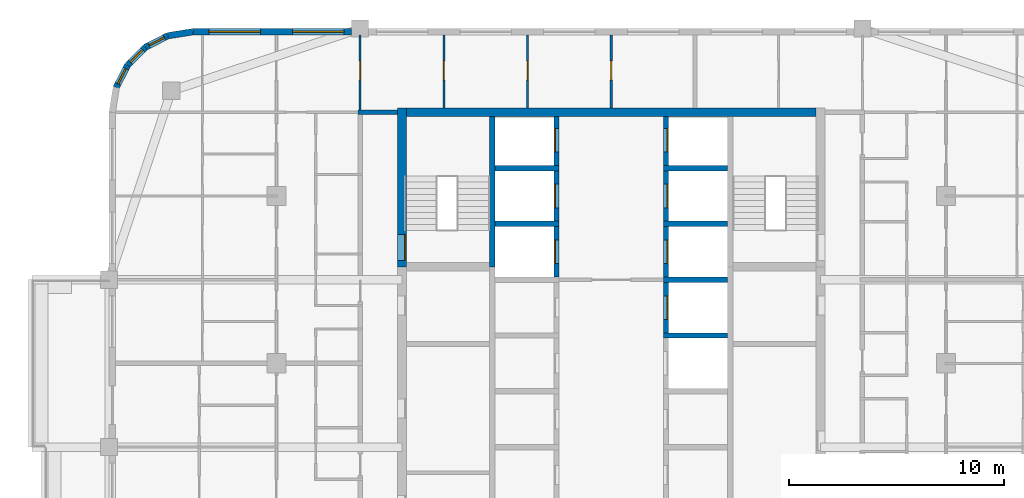
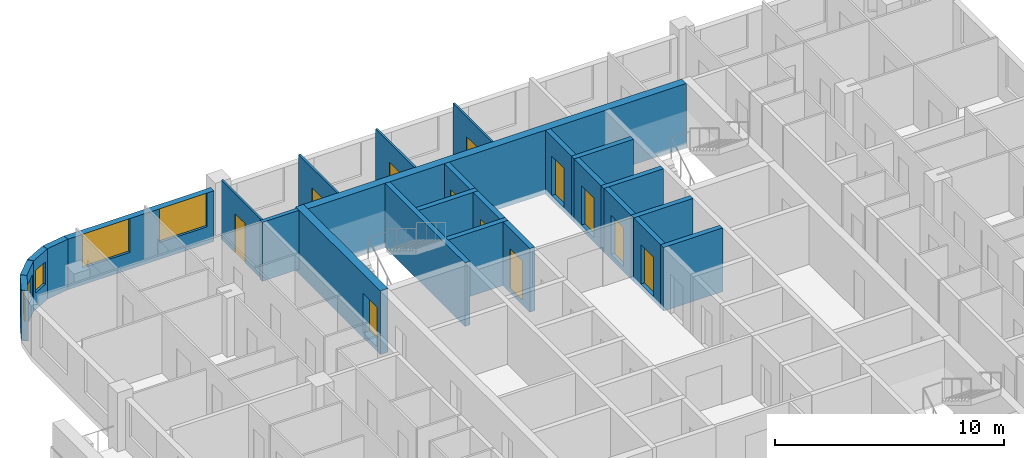
# One storey, part 10 of 16: 26 walls, 12 doors, 5 windows, 17 openings.
"""IFC4 building model written with IfcOpenShell, lengths in metres."""

from ifc_helpers import new_model, si_unit, direction, frame, frame_2d, origin, place, context, subcontext, project, spatial, rectangle, extrude, material, layer, layer_set, type_object, element, fill, save


model = new_model("IFC4")

# Units and contexts
model_context = context("Model", 3, precision=1e-05, world=origin(), true_north=direction((0.0, 1.0)))
body_context = subcontext(model_context, "Body", "Model", "MODEL_VIEW")
ifc_project = project(units=[si_unit("LENGTHUNIT", "METRE"), si_unit("AREAUNIT", "SQUARE_METRE"), si_unit("VOLUMEUNIT", "CUBIC_METRE"), si_unit("PLANEANGLEUNIT", "RADIAN"), si_unit("MASSUNIT", "GRAM", prefix="KILO")], contexts=[model_context])

# Site, building, storey
site_placement = place(None, origin())
site = spatial("IfcSite", under=ifc_project, at=site_placement, CompositionType="ELEMENT")
building_placement = place(site_placement, origin())
building = spatial("IfcBuilding", under=site, at=building_placement, Name="Ludao Terraces", CompositionType="ELEMENT")
storey_placement = place(building_placement, frame((0.0, 0.0, 227.89990234375)))
storey = spatial("IfcBuildingStorey", under=building, at=storey_placement, Name="L62", CompositionType="ELEMENT", Elevation=227.89990234375)

# Wall, opening, door
ifc_material_1 = material(Name="Concrete C50", Category="concrete")
ifc_layer_1 = layer(ifc_material_1, 0.39990234375)
ifc_layer_set_1 = layer_set([ifc_layer_1], Name="Core wall 400 C50")
wall_type_1 = type_object("IfcWallType", Name="Core wall 400 C50", PredefinedType="SOLIDWALL", material=ifc_layer_set_1)
wall_1_placement = place(storey_placement, frame((75.25, 77.300048828125, -0.25), z_axis=(0.0, 0.0, 1.0), x_axis=(0.0, 1.0, 0.0)))
wall_1 = element("IfcWall", 1, at=wall_1_placement, inside=storey, type_object=wall_type_1, Name="Core wall L62 outer-W-S1", PredefinedType="SOLIDWALL", context=body_context, shape_type="SweptSolid", body=[
    extrude(rectangle(XDim=7.39990234375, YDim=0.39990234375, at=frame_2d((3.699951171875, 0.0))), origin(), (0.0, 0.0, 1.0), 3.400146484375),
])
opening_1_placement = place(wall_1_placement, frame((0.300048828125, 0.0, 0.25)))
opening_1 = element("IfcOpeningElement", 2, at=opening_1_placement, cuts=wall_1, Name="Opening R22-109", PredefinedType="OPENING", context=body_context, shape_type="SweptSolid", body=[
    extrude(rectangle(XDim=1.199951171875, YDim=2.10009765625, at=frame_2d((0.60009765625, 1.050048828125))), frame((0.0, 0.2099609375, 0.0), z_axis=(0.0, -1.0, 0.0), x_axis=(1.0, 0.0, 0.0)), (0.0, 0.0, 1.0), 0.419921875),
])
ifc_material_2 = material(Name="Steel Q235", Category="steel")
door_type_1 = type_object("IfcDoorType", Name="INT Stair door 1200", OperationType="DOUBLE_DOOR_SINGLE_SWING", PredefinedType="DOOR", material=ifc_material_2)
door_1_placement = place(opening_1_placement, origin())
door_1 = element("IfcDoor", 3, at=door_1_placement, inside=storey, type_object=door_type_1, Name="DOOR 109", OperationType="DOUBLE_DOOR_SINGLE_SWING", OverallHeight=2.10009765625, OverallWidth=1.199951171875, PredefinedType="DOOR", context=body_context, shape_type="SweptSolid", body=[
    extrude(rectangle(XDim=1.199951171875, YDim=2.10009765625, at=frame_2d((0.60009765625, 1.050048828125))), frame((0.0, -0.134765625, 0.0), z_axis=(0.0, -1.0, 0.0), x_axis=(1.0, 0.0, 0.0)), (0.0, 0.0, 1.0), 0.050048828125),
])
fill(opening_1, door_1)

# Wall
wall_2_placement = place(storey_placement, frame((75.449951171875, 84.5, -0.25), z_axis=(0.0, 0.0, 1.0), x_axis=(1.0, 0.0, 0.0)))
element("IfcWall", 4, at=wall_2_placement, inside=storey, type_object=wall_type_1, Name="Core wall L62 outer-N", PredefinedType="SOLIDWALL", context=body_context, shape_type="SweptSolid", body=[
    extrude(rectangle(XDim=19.10009765625, YDim=0.39990234375, at=frame_2d((9.550048828125, 0.0))), origin(), (0.0, 0.0, 1.0), 3.400146484375),
])

# Wall, openings, windows
ifc_material_3 = material(Name="Granite cladding", Category="masonry")
ifc_layer_2 = layer(ifc_material_3, 0.0400390625, Category="stone")
ifc_material_4 = material(Name="Mineral wool")
ifc_layer_3 = layer(ifc_material_4, 0.06005859375)
ifc_material_5 = material(Name="Concrete C40", Category="concrete")
ifc_layer_4 = layer(ifc_material_5, 0.199951171875, Category="concrete")
ifc_layer_set_2 = layer_set([ifc_layer_2, ifc_layer_3, ifc_layer_4], Name="ENV Stone-clad wall 300")
wall_type_2 = type_object("IfcWallType", Name="ENV Stone-clad wall 300", PredefinedType="SOLIDWALL", material=ifc_layer_set_2)
wall_3_placement = place(storey_placement, frame((65.5, 88.25, 0.0), z_axis=(0.0, 0.0, 1.0), x_axis=(1.0, 0.0, 0.0)))
wall_3 = element("IfcWall", 5, at=wall_3_placement, inside=storey, type_object=wall_type_2, Name="EW-L62-N1", PredefinedType="SOLIDWALL", context=body_context, shape_type="SweptSolid", body=[
    extrude(rectangle(XDim=7.39990234375, YDim=0.300048828125, at=frame_2d((3.699951171875, 0.0))), origin(), (0.0, 0.0, 1.0), 2.7001953125),
])
opening_2_placement = place(wall_3_placement, frame((0.75, 0.0, 0.89990234375)))
opening_2 = element("IfcOpeningElement", 6, at=opening_2_placement, cuts=wall_3, Name="Opening W1", PredefinedType="OPENING", context=body_context, shape_type="SweptSolid", body=[
    extrude(rectangle(XDim=2.39990234375, YDim=1.800048828125, at=frame_2d((1.199951171875, 0.89990234375))), frame((0.0, 0.16015625, 0.0), z_axis=(0.0, -1.0, 0.0), x_axis=(1.0, 0.0, 0.0)), (0.0, 0.0, 1.0), 0.320068359375),
])
opening_3_placement = place(wall_3_placement, frame((4.64990234375, 0.0, 0.89990234375)))
opening_3 = element("IfcOpeningElement", 7, at=opening_3_placement, cuts=wall_3, Name="Opening W1", PredefinedType="OPENING", context=body_context, shape_type="SweptSolid", body=[
    extrude(rectangle(XDim=2.39990234375, YDim=1.800048828125, at=frame_2d((1.199951171875, 0.89990234375))), frame((0.0, 0.16015625, 0.0), z_axis=(0.0, -1.0, 0.0), x_axis=(1.0, 0.0, 0.0)), (0.0, 0.0, 1.0), 0.320068359375),
])
ifc_material_6 = material(Name="Clear glass in aluminium frame", Category="aluminium")
ifc_layer_5 = layer(ifc_material_6, 0.06005859375)
ifc_layer_set_3 = layer_set([ifc_layer_5], Name="ENV Window W1 2400x1800")
window_type_1 = type_object("IfcWindowType", Name="ENV Window W1 2400x1800", PartitioningType="DOUBLE_PANEL_VERTICAL", PredefinedType="WINDOW", material=ifc_layer_set_3)
window_1_placement = place(opening_2_placement, origin())
window_1 = element("IfcWindow", 8, at=window_1_placement, inside=storey, type_object=window_type_1, Name="W-L62-N1-1", OverallHeight=1.800048828125, OverallWidth=2.39990234375, PartitioningType="DOUBLE_PANEL_VERTICAL", PredefinedType="WINDOW", context=body_context, shape_type="SweptSolid", body=[
    extrude(rectangle(XDim=2.39990234375, YDim=1.800048828125, at=frame_2d((1.199951171875, 0.89990234375))), frame((0.0, 0.030029296875, 0.0), z_axis=(0.0, -1.0, 0.0), x_axis=(1.0, 0.0, 0.0)), (0.0, 0.0, 1.0), 0.06005859375),
])
fill(opening_2, window_1)
window_2_placement = place(opening_3_placement, origin())
window_2 = element("IfcWindow", 9, at=window_2_placement, inside=storey, type_object=window_type_1, Name="W-L62-N1-2", OverallHeight=1.800048828125, OverallWidth=2.39990234375, PartitioningType="DOUBLE_PANEL_VERTICAL", PredefinedType="WINDOW", context=body_context, shape_type="SweptSolid", body=[
    extrude(rectangle(XDim=2.39990234375, YDim=1.800048828125, at=frame_2d((1.199951171875, 0.89990234375))), frame((0.0, 0.030029296875, 0.0), z_axis=(0.0, -1.0, 0.0), x_axis=(1.0, 0.0, 0.0)), (0.0, 0.0, 1.0), 0.06005859375),
])
fill(opening_3, window_2)

# Wall
wall_4_placement = place(storey_placement, frame((65.5, 88.25, 0.0), z_axis=(0.0, 0.0, 1.0), x_axis=(-0.987678452879, -0.156496880861, 0.0)))
element("IfcWall", 10, at=wall_4_placement, inside=storey, type_object=wall_type_2, Name="EW-L62-NW1", PredefinedType="SOLIDWALL", context=body_context, shape_type="SweptSolid", body=[
    extrude(rectangle(XDim=1.173095703125, YDim=0.300048828125, at=frame_2d((0.58642578125, 0.0))), origin(), (0.0, 0.0, 1.0), 2.7001953125),
])

# Wall, opening, window
wall_5_placement = place(storey_placement, frame((64.34130859375, 88.06640625, 0.0), z_axis=(0.0, 0.0, 1.0), x_axis=(-0.890988677504, -0.454025524128, 0.0)))
wall_5 = element("IfcWall", 11, at=wall_5_placement, inside=storey, type_object=wall_type_2, Name="EW-L62-NW2", PredefinedType="SOLIDWALL", context=body_context, shape_type="SweptSolid", body=[
    extrude(rectangle(XDim=1.17333984375, YDim=0.300048828125, at=frame_2d((0.586669921875, 0.0))), origin(), (0.0, 0.0, 1.0), 2.7001953125),
])
opening_4_placement = place(wall_5_placement, frame((0.1865234375, 0.0, 0.89990234375)))
opening_4 = element("IfcOpeningElement", 12, at=opening_4_placement, cuts=wall_5, Name="Opening W3", PredefinedType="OPENING", context=body_context, shape_type="SweptSolid", body=[
    extrude(rectangle(XDim=0.800048828125, YDim=1.199951171875, at=frame_2d((0.39990234375, 0.60009765625))), frame((0.0, 0.16015625, 0.0), z_axis=(0.0, -1.0, 0.0), x_axis=(1.0, 0.0, 0.0)), (0.0, 0.0, 1.0), 0.320068359375),
])
ifc_layer_6 = layer(ifc_material_6, 0.06005859375)
ifc_layer_set_4 = layer_set([ifc_layer_6], Name="ENV Window W3 800x1200")
window_type_2 = type_object("IfcWindowType", Name="ENV Window W3 800x1200", PartitioningType="SINGLE_PANEL", PredefinedType="WINDOW", material=ifc_layer_set_4)
window_3_placement = place(opening_4_placement, origin())
window_3 = element("IfcWindow", 13, at=window_3_placement, inside=storey, type_object=window_type_2, Name="W-L62-NW2", OverallHeight=1.199951171875, OverallWidth=0.800048828125, PartitioningType="SINGLE_PANEL", PredefinedType="WINDOW", context=body_context, shape_type="SweptSolid", body=[
    extrude(rectangle(XDim=0.800048828125, YDim=1.199951171875, at=frame_2d((0.39990234375, 0.60009765625))), frame((0.0, 0.030029296875, 0.0), z_axis=(0.0, -1.0, 0.0), x_axis=(1.0, 0.0, 0.0)), (0.0, 0.0, 1.0), 0.06005859375),
])
fill(opening_4, window_3)

wall_6_placement = place(storey_placement, frame((63.2958984375, 87.53369140625, 0.0), z_axis=(0.0, 0.0, 1.0), x_axis=(-0.707106781187, -0.707106781187, 0.0)))
wall_6 = element("IfcWall", 14, at=wall_6_placement, inside=storey, type_object=wall_type_2, Name="EW-L62-NW3", PredefinedType="SOLIDWALL", context=body_context, shape_type="SweptSolid", body=[
    extrude(rectangle(XDim=1.173095703125, YDim=0.300048828125, at=frame_2d((0.58642578125, 0.0))), origin(), (0.0, 0.0, 1.0), 2.7001953125),
])
opening_5_placement = place(wall_6_placement, frame((0.1865234375, 0.0, 0.89990234375)))
opening_5 = element("IfcOpeningElement", 15, at=opening_5_placement, cuts=wall_6, Name="Opening W3", PredefinedType="OPENING", context=body_context, shape_type="SweptSolid", body=[
    extrude(rectangle(XDim=0.800048828125, YDim=1.199951171875, at=frame_2d((0.39990234375, 0.60009765625))), frame((0.0, 0.16015625, 0.0), z_axis=(0.0, -1.0, 0.0), x_axis=(1.0, 0.0, 0.0)), (0.0, 0.0, 1.0), 0.320068359375),
])
window_4_placement = place(opening_5_placement, origin())
window_4 = element("IfcWindow", 16, at=window_4_placement, inside=storey, type_object=window_type_2, Name="W-L62-NW3", OverallHeight=1.199951171875, OverallWidth=0.800048828125, PartitioningType="SINGLE_PANEL", PredefinedType="WINDOW", context=body_context, shape_type="SweptSolid", body=[
    extrude(rectangle(XDim=0.800048828125, YDim=1.199951171875, at=frame_2d((0.39990234375, 0.60009765625))), frame((0.0, 0.030029296875, 0.0), z_axis=(0.0, -1.0, 0.0), x_axis=(1.0, 0.0, 0.0)), (0.0, 0.0, 1.0), 0.06005859375),
])
fill(opening_5, window_4)

wall_7_placement = place(storey_placement, frame((62.46630859375, 86.7041015625, 0.0), z_axis=(0.0, 0.0, 1.0), x_axis=(-0.454025524128, -0.890988677504, 0.0)))
wall_7 = element("IfcWall", 17, at=wall_7_placement, inside=storey, type_object=wall_type_2, Name="EW-L62-NW4", PredefinedType="SOLIDWALL", context=body_context, shape_type="SweptSolid", body=[
    extrude(rectangle(XDim=1.17333984375, YDim=0.300048828125, at=frame_2d((0.586669921875, 0.0))), origin(), (0.0, 0.0, 1.0), 2.7001953125),
])
opening_6_placement = place(wall_7_placement, frame((0.1865234375, 0.0, 0.89990234375)))
opening_6 = element("IfcOpeningElement", 18, at=opening_6_placement, cuts=wall_7, Name="Opening W3", PredefinedType="OPENING", context=body_context, shape_type="SweptSolid", body=[
    extrude(rectangle(XDim=0.800048828125, YDim=1.199951171875, at=frame_2d((0.39990234375, 0.60009765625))), frame((0.0, 0.16015625, 0.0), z_axis=(0.0, -1.0, 0.0), x_axis=(1.0, 0.0, 0.0)), (0.0, 0.0, 1.0), 0.320068359375),
])
window_5_placement = place(opening_6_placement, origin())
window_5 = element("IfcWindow", 19, at=window_5_placement, inside=storey, type_object=window_type_2, Name="W-L62-NW4", OverallHeight=1.199951171875, OverallWidth=0.800048828125, PartitioningType="SINGLE_PANEL", PredefinedType="WINDOW", context=body_context, shape_type="SweptSolid", body=[
    extrude(rectangle(XDim=0.800048828125, YDim=1.199951171875, at=frame_2d((0.39990234375, 0.60009765625))), frame((0.0, 0.030029296875, 0.0), z_axis=(0.0, -1.0, 0.0), x_axis=(1.0, 0.0, 0.0)), (0.0, 0.0, 1.0), 0.06005859375),
])
fill(opening_6, window_5)

# Wall
ifc_material_7 = material(Name="Autoclaved aerated concrete block B06 A3.5", Category="concrete")
ifc_layer_7 = layer(ifc_material_7, 0.199951171875)
ifc_layer_set_5 = layer_set([ifc_layer_7], Name="INT Entrance wall 200")
wall_type_3 = type_object("IfcWallType", Name="INT Entrance wall 200", PredefinedType="PARTITIONING", material=ifc_layer_set_5)
wall_8_placement = place(storey_placement, frame((73.2001953125, 84.5, 0.0), z_axis=(0.0, 0.0, 1.0), x_axis=(1.0, 0.0, 0.0)))
element("IfcWall", 20, at=wall_8_placement, inside=storey, type_object=wall_type_3, Name="PW-L62-PW066", PredefinedType="PARTITIONING", context=body_context, shape_type="SweptSolid", body=[
    extrude(rectangle(XDim=1.849853515625, YDim=0.199951171875, at=frame_2d((0.9248046875, 0.0))), origin(), (0.0, 0.0, 1.0), 3.150146484375),
])

# Wall, opening, door
ifc_material_8 = material(Name="Gypsum plasterboard", Category="gypsum")
ifc_layer_8 = layer(ifc_material_8, 0.012451171875, Category="gypsum")
ifc_layer_9 = layer(ifc_material_4, 0.06005859375, Name="insulation")
ifc_layer_10 = layer(ifc_material_2, 0.014892578125, Name="stud")
ifc_layer_11 = layer(ifc_material_8, 0.012451171875, Category="gypsum")
ifc_layer_set_6 = layer_set([ifc_layer_8, ifc_layer_9, ifc_layer_10, ifc_layer_11], Name="INT Partition 100")
wall_type_4 = type_object("IfcWallType", Name="INT Partition 100", PredefinedType="PARTITIONING", material=ifc_layer_set_6)
wall_9_placement = place(storey_placement, frame((73.300048828125, 84.60009765625, 0.0), z_axis=(0.0, 0.0, 1.0), x_axis=(0.0, 1.0, 0.0)))
wall_9 = element("IfcWall", 21, at=wall_9_placement, inside=storey, type_object=wall_type_4, Name="PW-L62-PW079", PredefinedType="PARTITIONING", context=body_context, shape_type="SweptSolid", body=[
    extrude(rectangle(XDim=3.5, YDim=0.10009765625, at=frame_2d((1.75, 0.0))), origin(), (0.0, 0.0, 1.0), 3.150146484375),
])
opening_7_placement = place(wall_9_placement, frame((1.39990234375, 0.0, 0.0)))
opening_7 = element("IfcOpeningElement", 22, at=opening_7_placement, cuts=wall_9, Name="Opening R22-133", PredefinedType="OPENING", context=body_context, shape_type="SweptSolid", body=[
    extrude(rectangle(XDim=0.89990234375, YDim=2.10009765625, at=frame_2d((0.449951171875, 1.050048828125))), frame((0.0, 0.06005859375, 0.0), z_axis=(0.0, -1.0, 0.0), x_axis=(1.0, 0.0, 0.0)), (0.0, 0.0, 1.0), 0.1201171875),
])
ifc_material_9 = material(Name="Timber door leaf", Category="wood")
door_type_2 = type_object("IfcDoorType", Name="INT Room door 900", OperationType="SINGLE_SWING_LEFT", PredefinedType="DOOR", material=ifc_material_9)
door_2_placement = place(opening_7_placement, origin())
door_2 = element("IfcDoor", 23, at=door_2_placement, inside=storey, type_object=door_type_2, Name="DOOR 133", OperationType="SINGLE_SWING_LEFT", OverallHeight=2.10009765625, OverallWidth=0.89990234375, PredefinedType="DOOR", context=body_context, shape_type="SweptSolid", body=[
    extrude(rectangle(XDim=0.89990234375, YDim=2.10009765625, at=frame_2d((0.449951171875, 1.050048828125))), frame((0.0, 0.02490234375, 0.0), z_axis=(0.0, -1.0, 0.0), x_axis=(1.0, 0.0, 0.0)), (0.0, 0.0, 1.0), 0.050048828125),
])
fill(opening_7, door_2)

wall_10_placement = place(storey_placement, frame((77.199951171875, 84.7001953125, 0.0), z_axis=(0.0, 0.0, 1.0), x_axis=(0.0, 1.0, 0.0)))
wall_10 = element("IfcWall", 24, at=wall_10_placement, inside=storey, type_object=wall_type_4, Name="PW-L62-PW080", PredefinedType="PARTITIONING", context=body_context, shape_type="SweptSolid", body=[
    extrude(rectangle(XDim=3.39990234375, YDim=0.10009765625, at=frame_2d((1.699951171875, 0.0))), origin(), (0.0, 0.0, 1.0), 3.150146484375),
])
opening_8_placement = place(wall_10_placement, frame((1.2998046875, 0.0, 0.0)))
opening_8 = element("IfcOpeningElement", 25, at=opening_8_placement, cuts=wall_10, Name="Opening R22-134", PredefinedType="OPENING", context=body_context, shape_type="SweptSolid", body=[
    extrude(rectangle(XDim=0.89990234375, YDim=2.10009765625, at=frame_2d((0.449951171875, 1.050048828125))), frame((0.0, 0.06005859375, 0.0), z_axis=(0.0, -1.0, 0.0), x_axis=(1.0, 0.0, 0.0)), (0.0, 0.0, 1.0), 0.1201171875),
])
door_3_placement = place(opening_8_placement, origin())
door_3 = element("IfcDoor", 26, at=door_3_placement, inside=storey, type_object=door_type_2, Name="DOOR 134", OperationType="SINGLE_SWING_LEFT", OverallHeight=2.10009765625, OverallWidth=0.89990234375, PredefinedType="DOOR", context=body_context, shape_type="SweptSolid", body=[
    extrude(rectangle(XDim=0.89990234375, YDim=2.10009765625, at=frame_2d((0.449951171875, 1.050048828125))), frame((0.0, 0.02490234375, 0.0), z_axis=(0.0, -1.0, 0.0), x_axis=(1.0, 0.0, 0.0)), (0.0, 0.0, 1.0), 0.050048828125),
])
fill(opening_8, door_3)

wall_11_placement = place(storey_placement, frame((81.10009765625, 84.7001953125, 0.0), z_axis=(0.0, 0.0, 1.0), x_axis=(0.0, 1.0, 0.0)))
wall_11 = element("IfcWall", 27, at=wall_11_placement, inside=storey, type_object=wall_type_4, Name="PW-L62-PW081", PredefinedType="PARTITIONING", context=body_context, shape_type="SweptSolid", body=[
    extrude(rectangle(XDim=3.39990234375, YDim=0.10009765625, at=frame_2d((1.699951171875, 0.0))), origin(), (0.0, 0.0, 1.0), 3.150146484375),
])
opening_9_placement = place(wall_11_placement, frame((1.2998046875, 0.0, 0.0)))
opening_9 = element("IfcOpeningElement", 28, at=opening_9_placement, cuts=wall_11, Name="Opening R22-135", PredefinedType="OPENING", context=body_context, shape_type="SweptSolid", body=[
    extrude(rectangle(XDim=0.89990234375, YDim=2.10009765625, at=frame_2d((0.449951171875, 1.050048828125))), frame((0.0, 0.06005859375, 0.0), z_axis=(0.0, -1.0, 0.0), x_axis=(1.0, 0.0, 0.0)), (0.0, 0.0, 1.0), 0.1201171875),
])
door_4_placement = place(opening_9_placement, origin())
door_4 = element("IfcDoor", 29, at=door_4_placement, inside=storey, type_object=door_type_2, Name="DOOR 135", OperationType="SINGLE_SWING_RIGHT", OverallHeight=2.10009765625, OverallWidth=0.89990234375, PredefinedType="DOOR", context=body_context, shape_type="SweptSolid", body=[
    extrude(rectangle(XDim=0.89990234375, YDim=2.10009765625, at=frame_2d((0.449951171875, 1.050048828125))), frame((0.0, 0.02490234375, 0.0), z_axis=(0.0, -1.0, 0.0), x_axis=(1.0, 0.0, 0.0)), (0.0, 0.0, 1.0), 0.050048828125),
])
fill(opening_9, door_4)

wall_12_placement = place(storey_placement, frame((85.0, 84.7001953125, 0.0), z_axis=(0.0, 0.0, 1.0), x_axis=(0.0, 1.0, 0.0)))
wall_12 = element("IfcWall", 30, at=wall_12_placement, inside=storey, type_object=wall_type_4, Name="PW-L62-PW083", PredefinedType="PARTITIONING", context=body_context, shape_type="SweptSolid", body=[
    extrude(rectangle(XDim=3.39990234375, YDim=0.10009765625, at=frame_2d((1.699951171875, 0.0))), origin(), (0.0, 0.0, 1.0), 3.150146484375),
])
opening_10_placement = place(wall_12_placement, frame((1.2998046875, 0.0, 0.0)))
opening_10 = element("IfcOpeningElement", 31, at=opening_10_placement, cuts=wall_12, Name="Opening R22-136", PredefinedType="OPENING", context=body_context, shape_type="SweptSolid", body=[
    extrude(rectangle(XDim=0.89990234375, YDim=2.10009765625, at=frame_2d((0.449951171875, 1.050048828125))), frame((0.0, 0.06005859375, 0.0), z_axis=(0.0, -1.0, 0.0), x_axis=(1.0, 0.0, 0.0)), (0.0, 0.0, 1.0), 0.1201171875),
])
door_5_placement = place(opening_10_placement, origin())
door_5 = element("IfcDoor", 32, at=door_5_placement, inside=storey, type_object=door_type_2, Name="DOOR 136", OperationType="SINGLE_SWING_LEFT", OverallHeight=2.10009765625, OverallWidth=0.89990234375, PredefinedType="DOOR", context=body_context, shape_type="SweptSolid", body=[
    extrude(rectangle(XDim=0.89990234375, YDim=2.10009765625, at=frame_2d((0.449951171875, 1.050048828125))), frame((0.0, 0.02490234375, 0.0), z_axis=(0.0, -1.0, 0.0), x_axis=(1.0, 0.0, 0.0)), (0.0, 0.0, 1.0), 0.050048828125),
])
fill(opening_10, door_5)

# Wall
ifc_layer_12 = layer(ifc_material_1, 0.25)
ifc_layer_set_7 = layer_set([ifc_layer_12], Name="Shaft wall 250 C50")
wall_type_5 = type_object("IfcWallType", Name="Shaft wall 250 C50", PredefinedType="SOLIDWALL", material=ifc_layer_set_7)
wall_13_placement = place(storey_placement, frame((79.449951171875, 77.300048828125, -0.25), z_axis=(0.0, 0.0, 1.0), x_axis=(0.0, 1.0, 0.0)))
element("IfcWall", 33, at=wall_13_placement, inside=storey, type_object=wall_type_5, Name="Core wall L62 back-W-S1", PredefinedType="SOLIDWALL", context=body_context, shape_type="SweptSolid", body=[
    extrude(rectangle(XDim=7.0, YDim=0.25, at=frame_2d((3.5, 0.0))), origin(), (0.0, 0.0, 1.0), 3.400146484375),
])

# Wall, opening, door
wall_14_placement = place(storey_placement, frame((82.449951171875, 76.824951171875, -0.25), z_axis=(0.0, 0.0, 1.0), x_axis=(0.0, 1.0, 0.0)))
wall_14 = element("IfcWall", 34, at=wall_14_placement, inside=storey, type_object=wall_type_5, Name="Core wall L62 front-W7", PredefinedType="SOLIDWALL", context=body_context, shape_type="SweptSolid", body=[
    extrude(rectangle(XDim=2.35009765625, YDim=0.25, at=frame_2d((1.175048828125, 0.0))), origin(), (0.0, 0.0, 1.0), 3.400146484375),
])
opening_11_placement = place(wall_14_placement, frame((0.625, 0.0, 0.25)))
opening_11 = element("IfcOpeningElement", 35, at=opening_11_placement, cuts=wall_14, Name="Opening LD-FF1", PredefinedType="OPENING", context=body_context, shape_type="SweptSolid", body=[
    extrude(rectangle(XDim=1.10009765625, YDim=2.10009765625, at=frame_2d((0.550048828125, 1.050048828125))), frame((0.0, 0.135009765625, 0.0), z_axis=(0.0, -1.0, 0.0), x_axis=(1.0, 0.0, 0.0)), (0.0, 0.0, 1.0), 0.27001953125),
])
ifc_material_10 = material(Name="Stainless steel 304", Category="steel")
door_type_3 = type_object("IfcDoorType", Name="INT Lift landing door 1100", OperationType="SLIDING_TO_LEFT", PredefinedType="DOOR", material=ifc_material_10)
door_6_placement = place(opening_11_placement, origin())
door_6 = element("IfcDoor", 36, at=door_6_placement, inside=storey, type_object=door_type_3, Name="LANDING DOOR FF1 L62", OperationType="SLIDING_TO_LEFT", OverallHeight=2.10009765625, OverallWidth=1.10009765625, PredefinedType="DOOR", context=body_context, shape_type="SweptSolid", body=[
    extrude(rectangle(XDim=1.10009765625, YDim=2.10009765625, at=frame_2d((0.550048828125, 1.050048828125))), frame((0.0, 0.10986328125, 0.0), z_axis=(0.0, -1.0, 0.0), x_axis=(1.0, 0.0, 0.0)), (0.0, 0.0, 1.0), 0.050048828125),
])
fill(opening_11, door_6)

# Wall
wall_15_placement = place(storey_placement, frame((79.574951171875, 79.300048828125, -0.25), z_axis=(0.0, 0.0, 1.0), x_axis=(1.0, 0.0, 0.0)))
element("IfcWall", 37, at=wall_15_placement, inside=storey, type_object=wall_type_5, Name="Core wall L62 div-W8", PredefinedType="SOLIDWALL", context=body_context, shape_type="SweptSolid", body=[
    extrude(rectangle(XDim=3.0, YDim=0.25, at=frame_2d((1.5, 0.0))), origin(), (0.0, 0.0, 1.0), 3.400146484375),
])

# Wall, opening, door
wall_16_placement = place(storey_placement, frame((82.449951171875, 79.425048828125, -0.25), z_axis=(0.0, 0.0, 1.0), x_axis=(0.0, 1.0, 0.0)))
wall_16 = element("IfcWall", 38, at=wall_16_placement, inside=storey, type_object=wall_type_5, Name="Core wall L62 front-W8", PredefinedType="SOLIDWALL", context=body_context, shape_type="SweptSolid", body=[
    extrude(rectangle(XDim=2.349853515625, YDim=0.25, at=frame_2d((1.1748046875, 0.0))), origin(), (0.0, 0.0, 1.0), 3.400146484375),
])
opening_12_placement = place(wall_16_placement, frame((0.625, 0.0, 0.25)))
opening_12 = element("IfcOpeningElement", 39, at=opening_12_placement, cuts=wall_16, Name="Opening LD-FF2", PredefinedType="OPENING", context=body_context, shape_type="SweptSolid", body=[
    extrude(rectangle(XDim=1.10009765625, YDim=2.10009765625, at=frame_2d((0.550048828125, 1.050048828125))), frame((0.0, 0.135009765625, 0.0), z_axis=(0.0, -1.0, 0.0), x_axis=(1.0, 0.0, 0.0)), (0.0, 0.0, 1.0), 0.27001953125),
])
door_7_placement = place(opening_12_placement, origin())
door_7 = element("IfcDoor", 40, at=door_7_placement, inside=storey, type_object=door_type_3, Name="LANDING DOOR FF2 L62", OperationType="SLIDING_TO_LEFT", OverallHeight=2.10009765625, OverallWidth=1.10009765625, PredefinedType="DOOR", context=body_context, shape_type="SweptSolid", body=[
    extrude(rectangle(XDim=1.10009765625, YDim=2.10009765625, at=frame_2d((0.550048828125, 1.050048828125))), frame((0.0, 0.10986328125, 0.0), z_axis=(0.0, -1.0, 0.0), x_axis=(1.0, 0.0, 0.0)), (0.0, 0.0, 1.0), 0.050048828125),
])
fill(opening_12, door_7)

# Wall
wall_17_placement = place(storey_placement, frame((79.574951171875, 81.89990234375, -0.25), z_axis=(0.0, 0.0, 1.0), x_axis=(1.0, 0.0, 0.0)))
element("IfcWall", 41, at=wall_17_placement, inside=storey, type_object=wall_type_5, Name="Core wall L62 div-W9", PredefinedType="SOLIDWALL", context=body_context, shape_type="SweptSolid", body=[
    extrude(rectangle(XDim=3.0, YDim=0.25, at=frame_2d((1.5, 0.0))), origin(), (0.0, 0.0, 1.0), 3.400146484375),
])

# Wall, opening, door
wall_18_placement = place(storey_placement, frame((82.449951171875, 82.02490234375, -0.25), z_axis=(0.0, 0.0, 1.0), x_axis=(0.0, 1.0, 0.0)))
wall_18 = element("IfcWall", 42, at=wall_18_placement, inside=storey, type_object=wall_type_5, Name="Core wall L62 front-W9", PredefinedType="SOLIDWALL", context=body_context, shape_type="SweptSolid", body=[
    extrude(rectangle(XDim=2.275146484375, YDim=0.25, at=frame_2d((1.1376953125, 0.0))), origin(), (0.0, 0.0, 1.0), 3.400146484375),
])
opening_13_placement = place(wall_18_placement, frame((0.625, 0.0, 0.25)))
opening_13 = element("IfcOpeningElement", 43, at=opening_13_placement, cuts=wall_18, Name="Opening LD-LB6", PredefinedType="OPENING", context=body_context, shape_type="SweptSolid", body=[
    extrude(rectangle(XDim=1.10009765625, YDim=2.10009765625, at=frame_2d((0.550048828125, 1.050048828125))), frame((0.0, 0.135009765625, 0.0), z_axis=(0.0, -1.0, 0.0), x_axis=(1.0, 0.0, 0.0)), (0.0, 0.0, 1.0), 0.27001953125),
])
door_8_placement = place(opening_13_placement, origin())
door_8 = element("IfcDoor", 44, at=door_8_placement, inside=storey, type_object=door_type_3, Name="LANDING DOOR LB6 L62", OperationType="SLIDING_TO_RIGHT", OverallHeight=2.10009765625, OverallWidth=1.10009765625, PredefinedType="DOOR", context=body_context, shape_type="SweptSolid", body=[
    extrude(rectangle(XDim=1.10009765625, YDim=2.10009765625, at=frame_2d((0.550048828125, 1.050048828125))), frame((0.0, 0.10986328125, 0.0), z_axis=(0.0, -1.0, 0.0), x_axis=(1.0, 0.0, 0.0)), (0.0, 0.0, 1.0), 0.050048828125),
])
fill(opening_13, door_8)

# Wall
wall_19_placement = place(storey_placement, frame((87.425048828125, 74.10009765625, -0.25), z_axis=(0.0, 0.0, 1.0), x_axis=(1.0, 0.0, 0.0)))
element("IfcWall", 45, at=wall_19_placement, inside=storey, type_object=wall_type_5, Name="Core wall L62 div-E6", PredefinedType="SOLIDWALL", context=body_context, shape_type="SweptSolid", body=[
    extrude(rectangle(XDim=3.0, YDim=0.25, at=frame_2d((1.5, 0.0))), origin(), (0.0, 0.0, 1.0), 3.400146484375),
])

# Wall, opening, door
wall_20_placement = place(storey_placement, frame((87.550048828125, 74.22509765625, -0.25), z_axis=(0.0, 0.0, 1.0), x_axis=(0.0, 1.0, 0.0)))
wall_20 = element("IfcWall", 46, at=wall_20_placement, inside=storey, type_object=wall_type_5, Name="Core wall L62 front-E6", PredefinedType="SOLIDWALL", context=body_context, shape_type="SweptSolid", body=[
    extrude(rectangle(XDim=2.349853515625, YDim=0.25, at=frame_2d((1.1748046875, 0.0))), origin(), (0.0, 0.0, 1.0), 3.400146484375),
])
opening_14_placement = place(wall_20_placement, frame((0.625, 0.0, 0.25)))
opening_14 = element("IfcOpeningElement", 47, at=opening_14_placement, cuts=wall_20, Name="Opening LD-LB2", PredefinedType="OPENING", context=body_context, shape_type="SweptSolid", body=[
    extrude(rectangle(XDim=1.10009765625, YDim=2.10009765625, at=frame_2d((0.550048828125, 1.050048828125))), frame((0.0, 0.135009765625, 0.0), z_axis=(0.0, -1.0, 0.0), x_axis=(1.0, 0.0, 0.0)), (0.0, 0.0, 1.0), 0.27001953125),
])
door_9_placement = place(opening_14_placement, origin())
door_9 = element("IfcDoor", 48, at=door_9_placement, inside=storey, type_object=door_type_3, Name="LANDING DOOR LB2 L62", OperationType="SLIDING_TO_LEFT", OverallHeight=2.10009765625, OverallWidth=1.10009765625, PredefinedType="DOOR", context=body_context, shape_type="SweptSolid", body=[
    extrude(rectangle(XDim=1.10009765625, YDim=2.10009765625, at=frame_2d((0.550048828125, 1.050048828125))), frame((0.0, -0.06005859375, 0.0), z_axis=(0.0, -1.0, 0.0), x_axis=(1.0, 0.0, 0.0)), (0.0, 0.0, 1.0), 0.050048828125),
])
fill(opening_14, door_9)

# Wall
wall_21_placement = place(storey_placement, frame((87.425048828125, 76.699951171875, -0.25), z_axis=(0.0, 0.0, 1.0), x_axis=(1.0, 0.0, 0.0)))
element("IfcWall", 49, at=wall_21_placement, inside=storey, type_object=wall_type_5, Name="Core wall L62 div-E7", PredefinedType="SOLIDWALL", context=body_context, shape_type="SweptSolid", body=[
    extrude(rectangle(XDim=3.0, YDim=0.25, at=frame_2d((1.5, 0.0))), origin(), (0.0, 0.0, 1.0), 3.400146484375),
])

# Wall, opening, door
wall_22_placement = place(storey_placement, frame((87.550048828125, 76.824951171875, -0.25), z_axis=(0.0, 0.0, 1.0), x_axis=(0.0, 1.0, 0.0)))
wall_22 = element("IfcWall", 50, at=wall_22_placement, inside=storey, type_object=wall_type_5, Name="Core wall L62 front-E7", PredefinedType="SOLIDWALL", context=body_context, shape_type="SweptSolid", body=[
    extrude(rectangle(XDim=2.35009765625, YDim=0.25, at=frame_2d((1.175048828125, 0.0))), origin(), (0.0, 0.0, 1.0), 3.400146484375),
])
opening_15_placement = place(wall_22_placement, frame((0.625, 0.0, 0.25)))
opening_15 = element("IfcOpeningElement", 51, at=opening_15_placement, cuts=wall_22, Name="Opening LD-LB3", PredefinedType="OPENING", context=body_context, shape_type="SweptSolid", body=[
    extrude(rectangle(XDim=1.10009765625, YDim=2.10009765625, at=frame_2d((0.550048828125, 1.050048828125))), frame((0.0, 0.135009765625, 0.0), z_axis=(0.0, -1.0, 0.0), x_axis=(1.0, 0.0, 0.0)), (0.0, 0.0, 1.0), 0.27001953125),
])
door_10_placement = place(opening_15_placement, origin())
door_10 = element("IfcDoor", 52, at=door_10_placement, inside=storey, type_object=door_type_3, Name="LANDING DOOR LB3 L62", OperationType="SLIDING_TO_LEFT", OverallHeight=2.10009765625, OverallWidth=1.10009765625, PredefinedType="DOOR", context=body_context, shape_type="SweptSolid", body=[
    extrude(rectangle(XDim=1.10009765625, YDim=2.10009765625, at=frame_2d((0.550048828125, 1.050048828125))), frame((0.0, -0.06005859375, 0.0), z_axis=(0.0, -1.0, 0.0), x_axis=(1.0, 0.0, 0.0)), (0.0, 0.0, 1.0), 0.050048828125),
])
fill(opening_15, door_10)

# Wall
wall_23_placement = place(storey_placement, frame((87.425048828125, 79.300048828125, -0.25), z_axis=(0.0, 0.0, 1.0), x_axis=(1.0, 0.0, 0.0)))
element("IfcWall", 53, at=wall_23_placement, inside=storey, type_object=wall_type_5, Name="Core wall L62 div-E8", PredefinedType="SOLIDWALL", context=body_context, shape_type="SweptSolid", body=[
    extrude(rectangle(XDim=3.0, YDim=0.25, at=frame_2d((1.5, 0.0))), origin(), (0.0, 0.0, 1.0), 3.400146484375),
])

# Wall, opening, door
wall_24_placement = place(storey_placement, frame((87.550048828125, 79.425048828125, -0.25), z_axis=(0.0, 0.0, 1.0), x_axis=(0.0, 1.0, 0.0)))
wall_24 = element("IfcWall", 54, at=wall_24_placement, inside=storey, type_object=wall_type_5, Name="Core wall L62 front-E8", PredefinedType="SOLIDWALL", context=body_context, shape_type="SweptSolid", body=[
    extrude(rectangle(XDim=2.349853515625, YDim=0.25, at=frame_2d((1.1748046875, 0.0))), origin(), (0.0, 0.0, 1.0), 3.400146484375),
])
opening_16_placement = place(wall_24_placement, frame((0.625, 0.0, 0.25)))
opening_16 = element("IfcOpeningElement", 55, at=opening_16_placement, cuts=wall_24, Name="Opening LD-LB4", PredefinedType="OPENING", context=body_context, shape_type="SweptSolid", body=[
    extrude(rectangle(XDim=1.10009765625, YDim=2.10009765625, at=frame_2d((0.550048828125, 1.050048828125))), frame((0.0, 0.135009765625, 0.0), z_axis=(0.0, -1.0, 0.0), x_axis=(1.0, 0.0, 0.0)), (0.0, 0.0, 1.0), 0.27001953125),
])
door_11_placement = place(opening_16_placement, origin())
door_11 = element("IfcDoor", 56, at=door_11_placement, inside=storey, type_object=door_type_3, Name="LANDING DOOR LB4 L62", OperationType="SLIDING_TO_RIGHT", OverallHeight=2.10009765625, OverallWidth=1.10009765625, PredefinedType="DOOR", context=body_context, shape_type="SweptSolid", body=[
    extrude(rectangle(XDim=1.10009765625, YDim=2.10009765625, at=frame_2d((0.550048828125, 1.050048828125))), frame((0.0, -0.06005859375, 0.0), z_axis=(0.0, -1.0, 0.0), x_axis=(1.0, 0.0, 0.0)), (0.0, 0.0, 1.0), 0.050048828125),
])
fill(opening_16, door_11)

# Wall
wall_25_placement = place(storey_placement, frame((87.425048828125, 81.89990234375, -0.25), z_axis=(0.0, 0.0, 1.0), x_axis=(1.0, 0.0, 0.0)))
element("IfcWall", 57, at=wall_25_placement, inside=storey, type_object=wall_type_5, Name="Core wall L62 div-E9", PredefinedType="SOLIDWALL", context=body_context, shape_type="SweptSolid", body=[
    extrude(rectangle(XDim=3.0, YDim=0.25, at=frame_2d((1.5, 0.0))), origin(), (0.0, 0.0, 1.0), 3.400146484375),
])

# Wall, opening, door
wall_26_placement = place(storey_placement, frame((87.550048828125, 82.02490234375, -0.25), z_axis=(0.0, 0.0, 1.0), x_axis=(0.0, 1.0, 0.0)))
wall_26 = element("IfcWall", 58, at=wall_26_placement, inside=storey, type_object=wall_type_5, Name="Core wall L62 front-E9", PredefinedType="SOLIDWALL", context=body_context, shape_type="SweptSolid", body=[
    extrude(rectangle(XDim=2.275146484375, YDim=0.25, at=frame_2d((1.1376953125, 0.0))), origin(), (0.0, 0.0, 1.0), 3.400146484375),
])
opening_17_placement = place(wall_26_placement, frame((0.625, 0.0, 0.25)))
opening_17 = element("IfcOpeningElement", 59, at=opening_17_placement, cuts=wall_26, Name="Opening LD-LB5", PredefinedType="OPENING", context=body_context, shape_type="SweptSolid", body=[
    extrude(rectangle(XDim=1.10009765625, YDim=2.10009765625, at=frame_2d((0.550048828125, 1.050048828125))), frame((0.0, 0.135009765625, 0.0), z_axis=(0.0, -1.0, 0.0), x_axis=(1.0, 0.0, 0.0)), (0.0, 0.0, 1.0), 0.27001953125),
])
door_12_placement = place(opening_17_placement, origin())
door_12 = element("IfcDoor", 60, at=door_12_placement, inside=storey, type_object=door_type_3, Name="LANDING DOOR LB5 L62", OperationType="SLIDING_TO_RIGHT", OverallHeight=2.10009765625, OverallWidth=1.10009765625, PredefinedType="DOOR", context=body_context, shape_type="SweptSolid", body=[
    extrude(rectangle(XDim=1.10009765625, YDim=2.10009765625, at=frame_2d((0.550048828125, 1.050048828125))), frame((0.0, -0.06005859375, 0.0), z_axis=(0.0, -1.0, 0.0), x_axis=(1.0, 0.0, 0.0)), (0.0, 0.0, 1.0), 0.050048828125),
])
fill(opening_17, door_12)

save(model, "model.ifc")
